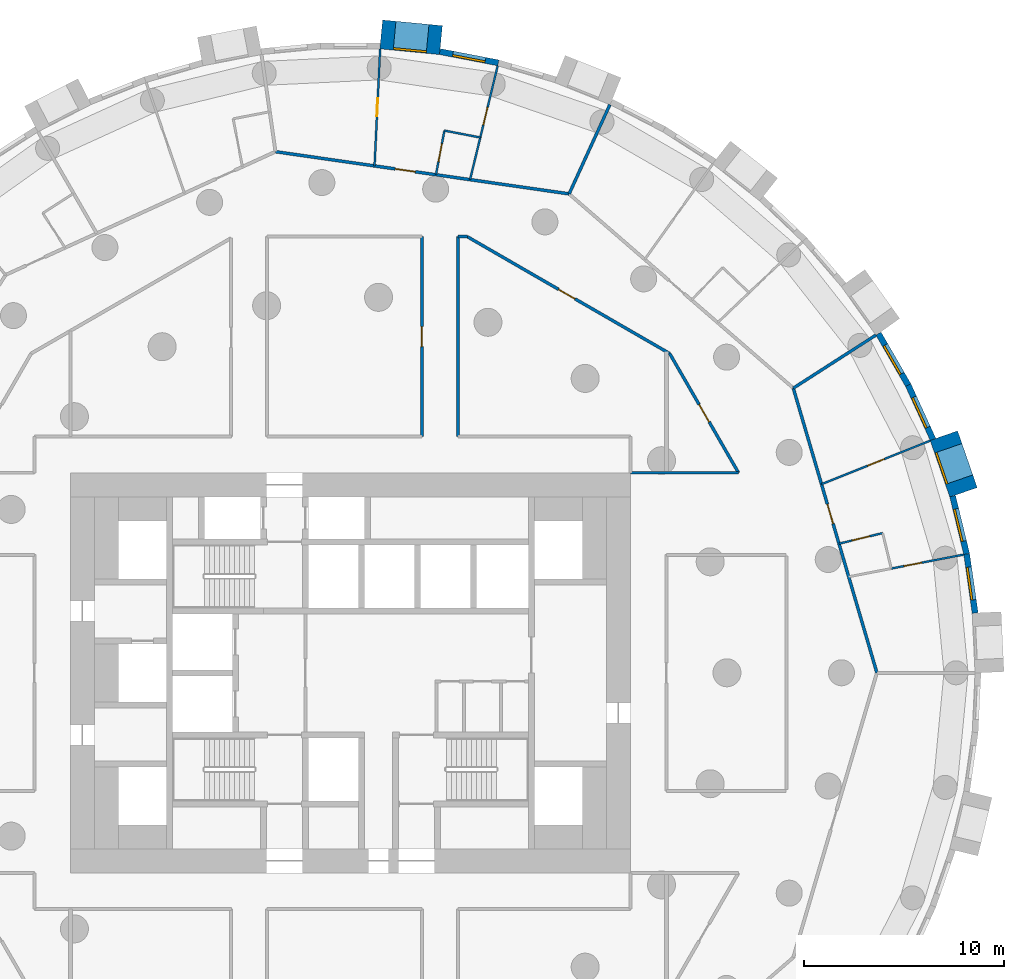
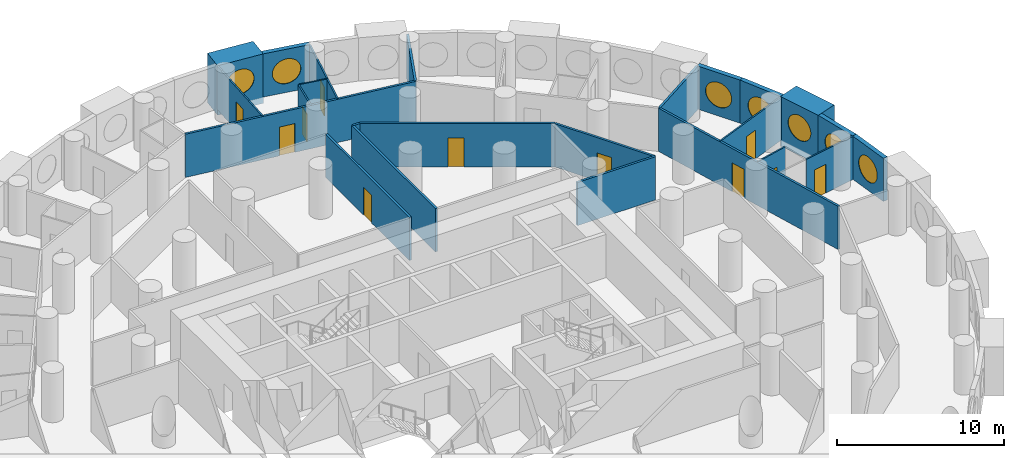
# One storey, part 9 of 12: 25 walls, 11 doors, 7 windows, 18 openings.
"""IFC4 building model written with IfcOpenShell, lengths in metres."""

from ifc_helpers import new_model, si_unit, direction, frame, frame_2d, origin, origin_2d, place, context, subcontext, project, spatial, rectangle, circle, extrude, material, layer, layer_set, type_object, element, fill, save


model = new_model("IFC4")

# Units and contexts
model_context = context("Model", 3, precision=1e-05, world=origin(), true_north=direction((0.0, 1.0)))
body_context = subcontext(model_context, "Body", "Model", "MODEL_VIEW")
ifc_project = project(units=[si_unit("LENGTHUNIT", "METRE"), si_unit("AREAUNIT", "SQUARE_METRE"), si_unit("VOLUMEUNIT", "CUBIC_METRE"), si_unit("PLANEANGLEUNIT", "RADIAN"), si_unit("MASSUNIT", "GRAM", prefix="KILO")], contexts=[model_context])

# Site, building, storey
site_placement = place(None, origin())
site = spatial("IfcSite", under=ifc_project, at=site_placement, CompositionType="ELEMENT")
building_placement = place(site_placement, origin())
building = spatial("IfcBuilding", under=site, at=building_placement, Name="Tracery Tower", CompositionType="ELEMENT")
storey_placement = place(building_placement, frame((0.0, 0.0, 85.800048828125)))
storey = spatial("IfcBuildingStorey", under=building, at=storey_placement, Name="L21", CompositionType="ELEMENT", Elevation=85.800048828125)

# Wall, opening, window
ifc_material_1 = material(Name="Precast concrete C50/60", Category="concrete")
ifc_layer_1 = layer(ifc_material_1, 1.449951171875)
ifc_layer_set_1 = layer_set([ifc_layer_1], Name="Deep-set bay unit 3000 x 3600, slab edge 450")
wall_type_1 = type_object("IfcWallType", Name="Deep-set bay unit 3000 x 3600, slab edge 450", PredefinedType="ELEMENTEDWALL", material=ifc_layer_set_1)
wall_1_placement = place(storey_placement, frame((30.649169921875, 9.0205078125, -0.449951171875), z_axis=(0.0, 0.0, 1.0), x_axis=(-0.327071431777, 0.944999618262, 0.0)))
wall_1 = element("IfcWall", 1, at=wall_1_placement, inside=storey, type_object=wall_type_1, Name="Deep-set bay unit 4 at L21", PredefinedType="ELEMENTEDWALL", context=body_context, shape_type="SweptSolid", body=[
    extrude(rectangle(XDim=3.0, YDim=1.449951171875, at=frame_2d((1.5, 0.0))), origin(), (0.0, 0.0, 1.0), 3.599853515625),
])
opening_1_placement = place(wall_1_placement, frame((1.5, 0.0, 2.0)))
opening_1 = element("IfcOpeningElement", 2, at=opening_1_placement, cuts=wall_1, Name="Opening WN1", PredefinedType="OPENING", context=body_context, shape_type="SweptSolid", body=[
    extrude(circle(Radius=0.9000244140625, at=origin_2d()), frame((0.0, 0.73486328125, 0.0), z_axis=(0.0, -1.0, 0.0), x_axis=(1.0, 0.0, 0.0)), (0.0, 0.0, 1.0), 1.469970703125),
])
ifc_material_2 = material(Name="Aluminium frame with tinted double glazing", Category="aluminium")
window_type = type_object("IfcWindowType", Name="Round window 1800", PartitioningType="SINGLE_PANEL", PredefinedType="WINDOW", material=ifc_material_2)
window_1_placement = place(opening_1_placement, origin())
window_1 = element("IfcWindow", 3, at=window_1_placement, inside=storey, type_object=window_type, Name="Round window 4 at L21", OverallHeight=1.800048828125, OverallWidth=1.800048828125, PartitioningType="SINGLE_PANEL", PredefinedType="WINDOW", context=body_context, shape_type="SweptSolid", body=[
    extrude(circle(Radius=0.9000244140625, at=origin_2d()), frame((0.0, 0.69482421875, 0.0), z_axis=(0.0, -1.0, 0.0), x_axis=(1.0, 0.0, 0.0)), (0.0, 0.0, 1.0), 0.10009765625),
])
fill(opening_1, window_1)

wall_2_placement = place(storey_placement, frame((4.52685546875, 31.626708984375, -0.449951171875), z_axis=(0.0, 0.0, 1.0), x_axis=(-0.995472768558, 0.09504718333, 0.0)))
wall_2 = element("IfcWall", 4, at=wall_2_placement, inside=storey, type_object=wall_type_1, Name="Deep-set bay unit 16 at L21", PredefinedType="ELEMENTEDWALL", context=body_context, shape_type="SweptSolid", body=[
    extrude(rectangle(XDim=3.000244140625, YDim=1.449951171875, at=frame_2d((1.5, 0.0))), origin(), (0.0, 0.0, 1.0), 3.599853515625),
])
opening_2_placement = place(wall_2_placement, frame((1.5, 0.0, 2.0)))
opening_2 = element("IfcOpeningElement", 5, at=opening_2_placement, cuts=wall_2, Name="Opening WN1", PredefinedType="OPENING", context=body_context, shape_type="SweptSolid", body=[
    extrude(circle(Radius=0.9000244140625, at=origin_2d()), frame((0.0, 0.73486328125, 0.0), z_axis=(0.0, -1.0, 0.0), x_axis=(1.0, 0.0, 0.0)), (0.0, 0.0, 1.0), 1.469970703125),
])
window_2_placement = place(opening_2_placement, origin())
window_2 = element("IfcWindow", 6, at=window_2_placement, inside=storey, type_object=window_type, Name="Round window 16 at L21", OverallHeight=1.800048828125, OverallWidth=1.800048828125, PartitioningType="SINGLE_PANEL", PredefinedType="WINDOW", context=body_context, shape_type="SweptSolid", body=[
    extrude(circle(Radius=0.9000244140625, at=origin_2d()), frame((0.0, 0.69482421875, 0.0), z_axis=(0.0, -1.0, 0.0), x_axis=(1.0, 0.0, 0.0)), (0.0, 0.0, 1.0), 0.10009765625),
])
fill(opening_2, window_2)

ifc_material_3 = material(Name="Precast concrete C50/60", Category="concrete")
ifc_layer_2 = layer(ifc_material_3, 0.300048828125)
ifc_layer_set_2 = layer_set([ifc_layer_2], Name="Facade panel 3000 x 3150")
wall_type_2 = type_object("IfcWallType", Name="Facade panel 3000 x 3150", PredefinedType="SOLIDWALL", material=ifc_layer_set_2)
wall_3_placement = place(storey_placement, frame((31.2314453125, 2.98828125, 0.0), z_axis=(0.0, 0.0, 1.0), x_axis=(-0.142315996627, 0.989821275334, 0.0)))
wall_3 = element("IfcWall", 7, at=wall_3_placement, inside=storey, type_object=wall_type_2, Name="Facade panel 2 at L21", PredefinedType="SOLIDWALL", context=body_context, shape_type="SweptSolid", body=[
    extrude(rectangle(XDim=2.979736328125, YDim=0.300048828125, at=frame_2d((1.48974609375, 0.0))), origin(), (0.0, 0.0, 1.0), 3.14990234375),
])
opening_3_placement = place(wall_3_placement, frame((1.48974609375, 0.0, 1.5498046875)))
opening_3 = element("IfcOpeningElement", 8, at=opening_3_placement, cuts=wall_3, Name="Opening WN1", PredefinedType="OPENING", context=body_context, shape_type="SweptSolid", body=[
    extrude(circle(Radius=0.9000244140625, at=origin_2d()), frame((0.0, 0.159912109375, 0.0), z_axis=(0.0, -1.0, 0.0), x_axis=(1.0, 0.0, 0.0)), (0.0, 0.0, 1.0), 0.320068359375),
])
window_3_placement = place(opening_3_placement, origin())
window_3 = element("IfcWindow", 9, at=window_3_placement, inside=storey, type_object=window_type, Name="Round window 2 at L21", OverallHeight=1.800048828125, OverallWidth=1.800048828125, PartitioningType="SINGLE_PANEL", PredefinedType="WINDOW", context=body_context, shape_type="SweptSolid", body=[
    extrude(circle(Radius=0.9000244140625, at=origin_2d()), frame((0.0, 0.1201171875, 0.0), z_axis=(0.0, -1.0, 0.0), x_axis=(1.0, 0.0, 0.0)), (0.0, 0.0, 1.0), 0.10009765625),
])
fill(opening_3, window_3)

wall_4_placement = place(storey_placement, frame((30.807373046875, 5.937744140625, 0.0), z_axis=(0.0, 0.0, 1.0), x_axis=(-0.235743081534, 0.971815414319, 0.0)))
wall_4 = element("IfcWall", 10, at=wall_4_placement, inside=storey, type_object=wall_type_2, Name="Facade panel 3 at L21", PredefinedType="SOLIDWALL", context=body_context, shape_type="SweptSolid", body=[
    extrude(rectangle(XDim=2.9794921875, YDim=0.300048828125, at=frame_2d((1.48974609375, 0.0))), origin(), (0.0, 0.0, 1.0), 3.14990234375),
])
opening_4_placement = place(wall_4_placement, frame((1.48974609375, 0.0, 1.5498046875)))
opening_4 = element("IfcOpeningElement", 11, at=opening_4_placement, cuts=wall_4, Name="Opening WN1", PredefinedType="OPENING", context=body_context, shape_type="SweptSolid", body=[
    extrude(circle(Radius=0.9000244140625, at=origin_2d()), frame((0.0, 0.159912109375, 0.0), z_axis=(0.0, -1.0, 0.0), x_axis=(1.0, 0.0, 0.0)), (0.0, 0.0, 1.0), 0.320068359375),
])
window_4_placement = place(opening_4_placement, origin())
window_4 = element("IfcWindow", 12, at=window_4_placement, inside=storey, type_object=window_type, Name="Round window 3 at L21", OverallHeight=1.800048828125, OverallWidth=1.800048828125, PartitioningType="SINGLE_PANEL", PredefinedType="WINDOW", context=body_context, shape_type="SweptSolid", body=[
    extrude(circle(Radius=0.9000244140625, at=origin_2d()), frame((0.0, 0.1201171875, 0.0), z_axis=(0.0, -1.0, 0.0), x_axis=(1.0, 0.0, 0.0)), (0.0, 0.0, 1.0), 0.10009765625),
])
fill(opening_4, window_4)

wall_5_placement = place(storey_placement, frame((29.12451171875, 11.666259765625, 0.0), z_axis=(0.0, 0.0, 1.0), x_axis=(-0.415407317162, 0.909635509888, 0.0)))
wall_5 = element("IfcWall", 13, at=wall_5_placement, inside=storey, type_object=wall_type_2, Name="Facade panel 5 at L21", PredefinedType="SOLIDWALL", context=body_context, shape_type="SweptSolid", body=[
    extrude(rectangle(XDim=2.979736328125, YDim=0.300048828125, at=frame_2d((1.48974609375, 0.0))), origin(), (0.0, 0.0, 1.0), 3.14990234375),
])
opening_5_placement = place(wall_5_placement, frame((1.48974609375, 0.0, 1.5498046875)))
opening_5 = element("IfcOpeningElement", 14, at=opening_5_placement, cuts=wall_5, Name="Opening WN1", PredefinedType="OPENING", context=body_context, shape_type="SweptSolid", body=[
    extrude(circle(Radius=0.9000244140625, at=origin_2d()), frame((0.0, 0.159912109375, 0.0), z_axis=(0.0, -1.0, 0.0), x_axis=(1.0, 0.0, 0.0)), (0.0, 0.0, 1.0), 0.320068359375),
])
window_5_placement = place(opening_5_placement, origin())
window_5 = element("IfcWindow", 15, at=window_5_placement, inside=storey, type_object=window_type, Name="Round window 5 at L21", OverallHeight=1.800048828125, OverallWidth=1.800048828125, PartitioningType="SINGLE_PANEL", PredefinedType="WINDOW", context=body_context, shape_type="SweptSolid", body=[
    extrude(circle(Radius=0.9000244140625, at=origin_2d()), frame((0.0, 0.1201171875, 0.0), z_axis=(0.0, -1.0, 0.0), x_axis=(1.0, 0.0, 0.0)), (0.0, 0.0, 1.0), 0.10009765625),
])
fill(opening_5, window_5)

wall_6_placement = place(storey_placement, frame((27.88671875, 14.376708984375, 0.0), z_axis=(0.0, 0.0, 1.0), x_axis=(-0.499999078476, 0.866025935826, 0.0)))
wall_6 = element("IfcWall", 16, at=wall_6_placement, inside=storey, type_object=wall_type_2, Name="Facade panel 6 at L21", PredefinedType="SOLIDWALL", context=body_context, shape_type="SweptSolid", body=[
    extrude(rectangle(XDim=2.9794921875, YDim=0.300048828125, at=frame_2d((1.48974609375, 0.0))), origin(), (0.0, 0.0, 1.0), 3.14990234375),
])
opening_6_placement = place(wall_6_placement, frame((1.48974609375, 0.0, 1.5498046875)))
opening_6 = element("IfcOpeningElement", 17, at=opening_6_placement, cuts=wall_6, Name="Opening WN1", PredefinedType="OPENING", context=body_context, shape_type="SweptSolid", body=[
    extrude(circle(Radius=0.9000244140625, at=origin_2d()), frame((0.0, 0.159912109375, 0.0), z_axis=(0.0, -1.0, 0.0), x_axis=(1.0, 0.0, 0.0)), (0.0, 0.0, 1.0), 0.320068359375),
])
window_6_placement = place(opening_6_placement, origin())
window_6 = element("IfcWindow", 18, at=window_6_placement, inside=storey, type_object=window_type, Name="Round window 6 at L21", OverallHeight=1.800048828125, OverallWidth=1.800048828125, PartitioningType="SINGLE_PANEL", PredefinedType="WINDOW", context=body_context, shape_type="SweptSolid", body=[
    extrude(circle(Radius=0.9000244140625, at=origin_2d()), frame((0.0, 0.1201171875, 0.0), z_axis=(0.0, -1.0, 0.0), x_axis=(1.0, 0.0, 0.0)), (0.0, 0.0, 1.0), 0.10009765625),
])
fill(opening_6, window_6)

wall_7_placement = place(storey_placement, frame((7.396728515625, 30.489990234375, 0.0), z_axis=(0.0, 0.0, 1.0), x_axis=(-0.981924535406, 0.189272836848, 0.0)))
wall_7 = element("IfcWall", 19, at=wall_7_placement, inside=storey, type_object=wall_type_2, Name="Facade panel 15 at L21", PredefinedType="SOLIDWALL", context=body_context, shape_type="SweptSolid", body=[
    extrude(rectangle(XDim=2.979736328125, YDim=0.300048828125, at=frame_2d((1.48974609375, 0.0))), origin(), (0.0, 0.0, 1.0), 3.14990234375),
])
opening_7_placement = place(wall_7_placement, frame((1.48974609375, 0.0, 1.5498046875)))
opening_7 = element("IfcOpeningElement", 20, at=opening_7_placement, cuts=wall_7, Name="Opening WN1", PredefinedType="OPENING", context=body_context, shape_type="SweptSolid", body=[
    extrude(circle(Radius=0.9000244140625, at=origin_2d()), frame((0.0, 0.159912109375, 0.0), z_axis=(0.0, -1.0, 0.0), x_axis=(1.0, 0.0, 0.0)), (0.0, 0.0, 1.0), 0.320068359375),
])
window_7_placement = place(opening_7_placement, origin())
window_7 = element("IfcWindow", 21, at=window_7_placement, inside=storey, type_object=window_type, Name="Round window 15 at L21", OverallHeight=1.800048828125, OverallWidth=1.800048828125, PartitioningType="SINGLE_PANEL", PredefinedType="WINDOW", context=body_context, shape_type="SweptSolid", body=[
    extrude(circle(Radius=0.9000244140625, at=origin_2d()), frame((0.0, 0.1201171875, 0.0), z_axis=(0.0, -1.0, 0.0), x_axis=(1.0, 0.0, 0.0)), (0.0, 0.0, 1.0), 0.10009765625),
])
fill(opening_7, window_7)

# Wall, opening, door
ifc_material_4 = material(Name="Plasterboard on steel studs", Category="steel")
ifc_layer_3 = layer(ifc_material_4, 0.10009765625)
ifc_layer_set_3 = layer_set([ifc_layer_3], Name="Partition 100 stud")
wall_type_3 = type_object("IfcWallType", Name="Partition 100 stud", PredefinedType="PARTITIONING", material=ifc_layer_set_3)
wall_8_placement = place(storey_placement, frame((27.0380859375, 5.2109375, 0.0), z_axis=(0.0, 0.0, 1.0), x_axis=(0.981931303506, 0.189237721384, 0.0)))
wall_8 = element("IfcWall", 22, at=wall_8_placement, inside=storey, type_object=wall_type_3, Name="Stud partition RA6-058", PredefinedType="PARTITIONING", context=body_context, shape_type="SweptSolid", body=[
    extrude(rectangle(XDim=3.6884765625, YDim=0.10009765625, at=frame_2d((1.84423828125, 0.0))), origin(), (0.0, 0.0, 1.0), 3.14990234375),
])
opening_8_placement = place(wall_8_placement, frame((0.64453125, 0.0, 0.0)))
opening_8 = element("IfcOpeningElement", 23, at=opening_8_placement, cuts=wall_8, Name="Opening RA6-13", PredefinedType="OPENING", context=body_context, shape_type="SweptSolid", body=[
    extrude(rectangle(XDim=0.89990234375, YDim=2.10009765625, at=frame_2d((0.449951171875, 1.050048828125))), frame((0.0, 0.050048828125, 0.0), z_axis=(0.0, -1.0, 0.0), x_axis=(1.0, 0.0, 0.0)), (0.0, 0.0, 1.0), 0.10009765625),
])
ifc_material_5 = material(Name="Timber door leaf", Category="wood")
door_type_1 = type_object("IfcDoorType", Name="Door bedroom 900", OperationType="NOTDEFINED", PredefinedType="DOOR", material=ifc_material_5)
door_1_placement = place(opening_8_placement, origin())
door_1 = element("IfcDoor", 24, at=door_1_placement, inside=storey, type_object=door_type_1, Name="Bedroom door RA6-13", OperationType="SINGLE_SWING_RIGHT", OverallHeight=2.10009765625, OverallWidth=0.89990234375, PredefinedType="DOOR", context=body_context, shape_type="SweptSolid", body=[
    extrude(rectangle(XDim=0.89990234375, YDim=2.10009765625, at=frame_2d((0.449951171875, 1.050048828125))), frame((0.0, 0.02490234375, 0.0), z_axis=(0.0, -1.0, 0.0), x_axis=(1.0, 0.0, 0.0)), (0.0, 0.0, 1.0), 0.050048828125),
])
fill(opening_8, door_1)

wall_9_placement = place(storey_placement, frame((23.550048828125, 9.427978515625, 0.0), z_axis=(0.0, 0.0, 1.0), x_axis=(0.9283702981, 0.371656547911, 0.0)))
wall_9 = element("IfcWall", 25, at=wall_9_placement, inside=storey, type_object=wall_type_3, Name="Stud partition RA6-059", PredefinedType="PARTITIONING", context=body_context, shape_type="SweptSolid", body=[
    extrude(rectangle(XDim=5.857666015625, YDim=0.10009765625, at=frame_2d((2.9287109375, 0.0))), origin(), (0.0, 0.0, 1.0), 3.14990234375),
])
opening_9_placement = place(wall_9_placement, frame((2.47900390625, 0.0, 0.0)))
opening_9 = element("IfcOpeningElement", 26, at=opening_9_placement, cuts=wall_9, Name="Opening RA6-14", PredefinedType="OPENING", context=body_context, shape_type="SweptSolid", body=[
    extrude(rectangle(XDim=0.89990234375, YDim=2.10009765625, at=frame_2d((0.449951171875, 1.050048828125))), frame((0.0, 0.050048828125, 0.0), z_axis=(0.0, -1.0, 0.0), x_axis=(1.0, 0.0, 0.0)), (0.0, 0.0, 1.0), 0.10009765625),
])
door_2_placement = place(opening_9_placement, origin())
door_2 = element("IfcDoor", 27, at=door_2_placement, inside=storey, type_object=door_type_1, Name="Bedroom door RA6-14", OperationType="SINGLE_SWING_RIGHT", OverallHeight=2.10009765625, OverallWidth=0.89990234375, PredefinedType="DOOR", context=body_context, shape_type="SweptSolid", body=[
    extrude(rectangle(XDim=0.89990234375, YDim=2.10009765625, at=frame_2d((0.449951171875, 1.050048828125))), frame((0.0, 0.02490234375, 0.0), z_axis=(0.0, -1.0, 0.0), x_axis=(1.0, 0.0, 0.0)), (0.0, 0.0, 1.0), 0.050048828125),
])
fill(opening_9, door_2)

wall_10_placement = place(storey_placement, frame((6.491943359375, 26.759033203125, 0.0), z_axis=(0.0, 0.0, 1.0), x_axis=(0.235615179614, 0.971846431868, 0.0)))
wall_10 = element("IfcWall", 28, at=wall_10_placement, inside=storey, type_object=wall_type_3, Name="Stud partition RA6-071", PredefinedType="PARTITIONING", context=body_context, shape_type="SweptSolid", body=[
    extrude(rectangle(XDim=3.688720703125, YDim=0.10009765625, at=frame_2d((1.84423828125, 0.0))), origin(), (0.0, 0.0, 1.0), 3.14990234375),
])
opening_10_placement = place(wall_10_placement, frame((0.644775390625, 0.0, 0.0)))
opening_10 = element("IfcOpeningElement", 29, at=opening_10_placement, cuts=wall_10, Name="Opening RA6-21", PredefinedType="OPENING", context=body_context, shape_type="SweptSolid", body=[
    extrude(rectangle(XDim=0.89990234375, YDim=2.10009765625, at=frame_2d((0.449951171875, 1.050048828125))), frame((0.0, 0.050048828125, 0.0), z_axis=(0.0, -1.0, 0.0), x_axis=(1.0, 0.0, 0.0)), (0.0, 0.0, 1.0), 0.10009765625),
])
door_3_placement = place(opening_10_placement, origin())
door_3 = element("IfcDoor", 30, at=door_3_placement, inside=storey, type_object=door_type_1, Name="Bedroom door RA6-21", OperationType="SINGLE_SWING_RIGHT", OverallHeight=2.10009765625, OverallWidth=0.89990234375, PredefinedType="DOOR", context=body_context, shape_type="SweptSolid", body=[
    extrude(rectangle(XDim=0.89990234375, YDim=2.10009765625, at=frame_2d((0.449951171875, 1.050048828125))), frame((0.0, 0.02490234375, 0.0), z_axis=(0.0, -1.0, 0.0), x_axis=(1.0, 0.0, 0.0)), (0.0, 0.0, 1.0), 0.050048828125),
])
fill(opening_10, door_3)

wall_11_placement = place(storey_placement, frame((1.20703125, 25.339111328125, 0.0), z_axis=(0.0, 0.0, 1.0), x_axis=(0.047648334785, 0.998864173045, 0.0)))
wall_11 = element("IfcWall", 31, at=wall_11_placement, inside=storey, type_object=wall_type_3, Name="Stud partition RA6-072", PredefinedType="PARTITIONING", context=body_context, shape_type="SweptSolid", body=[
    extrude(rectangle(XDim=5.8564453125, YDim=0.10009765625, at=frame_2d((2.92822265625, 0.0))), origin(), (0.0, 0.0, 1.0), 3.14990234375),
])
opening_11_placement = place(wall_11_placement, frame((2.47802734375, 0.0, 0.0)))
opening_11 = element("IfcOpeningElement", 32, at=opening_11_placement, cuts=wall_11, Name="Opening RA6-22", PredefinedType="OPENING", context=body_context, shape_type="SweptSolid", body=[
    extrude(rectangle(XDim=0.89990234375, YDim=2.10009765625, at=frame_2d((0.449951171875, 1.050048828125))), frame((0.0, 0.050048828125, 0.0), z_axis=(0.0, -1.0, 0.0), x_axis=(1.0, 0.0, 0.0)), (0.0, 0.0, 1.0), 0.10009765625),
])
door_4_placement = place(opening_11_placement, origin())
door_4 = element("IfcDoor", 33, at=door_4_placement, inside=storey, type_object=door_type_1, Name="Bedroom door RA6-22", OperationType="SINGLE_SWING_LEFT", OverallHeight=2.10009765625, OverallWidth=0.89990234375, PredefinedType="DOOR", context=body_context, shape_type="SweptSolid", body=[
    extrude(rectangle(XDim=0.89990234375, YDim=2.10009765625, at=frame_2d((0.449951171875, 1.050048828125))), frame((0.0, 0.02490234375, 0.0), z_axis=(0.0, -1.0, 0.0), x_axis=(1.0, 0.0, 0.0)), (0.0, 0.0, 1.0), 0.050048828125),
])
fill(opening_11, door_4)

ifc_material_6 = material(Name="Plasterboard on steel studs", Category="steel")
ifc_layer_4 = layer(ifc_material_6, 0.10009765625)
ifc_layer_set_4 = layer_set([ifc_layer_4], Name="Partition 100 wet wall")
wall_type_4 = type_object("IfcWallType", Name="Partition 100 wet wall", PredefinedType="PARTITIONING", material=ifc_layer_set_4)
wall_12_placement = place(storey_placement, frame((24.424072265625, 6.4541015625, 0.0), z_axis=(0.0, 0.0, 1.0), x_axis=(0.971812402676, 0.235755496233, 0.0)))
wall_12 = element("IfcWall", 34, at=wall_12_placement, inside=storey, type_object=wall_type_4, Name="Wet wall RA6-061", PredefinedType="PARTITIONING", context=body_context, shape_type="SweptSolid", body=[
    extrude(rectangle(XDim=2.2470703125, YDim=0.10009765625, at=frame_2d((1.12353515625, 0.0))), origin(), (0.0, 0.0, 1.0), 3.14990234375),
])
opening_12_placement = place(wall_12_placement, frame((0.67333984375, 0.0, 0.0)))
opening_12 = element("IfcOpeningElement", 35, at=opening_12_placement, cuts=wall_12, Name="Opening RA6-15", PredefinedType="OPENING", context=body_context, shape_type="SweptSolid", body=[
    extrude(rectangle(XDim=0.89990234375, YDim=2.0, at=frame_2d((0.449951171875, 1.0))), frame((0.0, 0.050048828125, 0.0), z_axis=(0.0, -1.0, 0.0), x_axis=(1.0, 0.0, 0.0)), (0.0, 0.0, 1.0), 0.10009765625),
])
ifc_material_7 = material(Name="Timber door leaf", Category="wood")
door_type_2 = type_object("IfcDoorType", Name="Door shower room 900", OperationType="NOTDEFINED", PredefinedType="DOOR", material=ifc_material_7)
door_5_placement = place(opening_12_placement, origin())
door_5 = element("IfcDoor", 36, at=door_5_placement, inside=storey, type_object=door_type_2, Name="Shower room door RA6-15", OperationType="SINGLE_SWING_RIGHT", OverallHeight=2.0, OverallWidth=0.89990234375, PredefinedType="DOOR", context=body_context, shape_type="SweptSolid", body=[
    extrude(rectangle(XDim=0.89990234375, YDim=2.0, at=frame_2d((0.449951171875, 1.0))), frame((0.0, 0.02490234375, 0.0), z_axis=(0.0, -1.0, 0.0), x_axis=(1.0, 0.0, 0.0)), (0.0, 0.0, 1.0), 0.050048828125),
])
fill(opening_12, door_5)

# Wall
wall_13_placement = place(storey_placement, frame((4.699951171875, 27.10498046875, 0.0), z_axis=(0.0, 0.0, 1.0), x_axis=(0.981870706953, -0.189551878985, 0.0)))
element("IfcWall", 37, at=wall_13_placement, inside=storey, type_object=wall_type_4, Name="Wet wall RA6-073", PredefinedType="PARTITIONING", context=body_context, shape_type="SweptSolid", body=[
    extrude(rectangle(XDim=1.8251953125, YDim=0.10009765625, at=frame_2d((0.91259765625, 0.0))), origin(), (0.0, 0.0, 1.0), 3.14990234375),
])

# Wall, opening, door
wall_14_placement = place(storey_placement, frame((4.27490234375, 24.89794921875, 0.0), z_axis=(0.0, 0.0, 1.0), x_axis=(0.189113289302, 0.98195527587, 0.0)))
wall_14 = element("IfcWall", 38, at=wall_14_placement, inside=storey, type_object=wall_type_4, Name="Wet wall RA6-074", PredefinedType="PARTITIONING", context=body_context, shape_type="SweptSolid", body=[
    extrude(rectangle(XDim=2.24755859375, YDim=0.10009765625, at=frame_2d((1.123779296875, 0.0))), origin(), (0.0, 0.0, 1.0), 3.14990234375),
])
opening_13_placement = place(wall_14_placement, frame((0.673583984375, 0.0, 0.0)))
opening_13 = element("IfcOpeningElement", 39, at=opening_13_placement, cuts=wall_14, Name="Opening RA6-23", PredefinedType="OPENING", context=body_context, shape_type="SweptSolid", body=[
    extrude(rectangle(XDim=0.89990234375, YDim=2.0, at=frame_2d((0.449951171875, 1.0))), frame((0.0, 0.050048828125, 0.0), z_axis=(0.0, -1.0, 0.0), x_axis=(1.0, 0.0, 0.0)), (0.0, 0.0, 1.0), 0.10009765625),
])
door_6_placement = place(opening_13_placement, origin())
door_6 = element("IfcDoor", 40, at=door_6_placement, inside=storey, type_object=door_type_2, Name="Shower room door RA6-23", OperationType="SINGLE_SWING_RIGHT", OverallHeight=2.0, OverallWidth=0.89990234375, PredefinedType="DOOR", context=body_context, shape_type="SweptSolid", body=[
    extrude(rectangle(XDim=0.89990234375, YDim=2.0, at=frame_2d((0.449951171875, 1.0))), frame((0.0, 0.02490234375, 0.0), z_axis=(0.0, -1.0, 0.0), x_axis=(1.0, 0.0, 0.0)), (0.0, 0.0, 1.0), 0.050048828125),
])
fill(opening_13, door_6)

# Walls
wall_15_placement = place(storey_placement, frame((5.98095703125, 24.652099609375, 0.0), z_axis=(0.0, 0.0, 1.0), x_axis=(0.235706186713, 0.971824363527, 0.0)))
element("IfcWall", 41, at=wall_15_placement, inside=storey, type_object=wall_type_4, Name="Wet wall RA6-075", PredefinedType="PARTITIONING", context=body_context, shape_type="SweptSolid", body=[
    extrude(rectangle(XDim=2.172119140625, YDim=0.10009765625, at=frame_2d((1.0859375, 0.0))), origin(), (0.0, 0.0, 1.0), 3.14990234375),
])
ifc_material_8 = material(Name="Plasterboard on steel studs", Category="steel")
ifc_layer_5 = layer(ifc_material_8, 0.14990234375)
ifc_layer_set_5 = layer_set([ifc_layer_5], Name="Partition 150 acoustic unit wall")
wall_type_5 = type_object("IfcWallType", Name="Partition 150 acoustic unit wall", PredefinedType="PARTITIONING", material=ifc_layer_set_5)
wall_16_placement = place(storey_placement, frame((22.14111328125, 14.22900390625, 0.0), z_axis=(0.0, 0.0, 1.0), x_axis=(0.841265781699, 0.540621757371, 0.0)))
element("IfcWall", 42, at=wall_16_placement, inside=storey, type_object=wall_type_5, Name="Unit wall RA6-064", PredefinedType="PARTITIONING", context=body_context, shape_type="SweptSolid", body=[
    extrude(rectangle(XDim=4.90576171875, YDim=0.14990234375, at=frame_2d((2.452880859375, 0.0))), origin(), (0.0, 0.0, 1.0), 3.14990234375),
])
wall_17_placement = place(storey_placement, frame((10.93310546875, 23.93994140625, 0.0), z_axis=(0.0, 0.0, 1.0), x_axis=(0.415346954488, 0.909663073559, 0.0)))
element("IfcWall", 43, at=wall_17_placement, inside=storey, type_object=wall_type_5, Name="Unit wall RA6-070", PredefinedType="PARTITIONING", context=body_context, shape_type="SweptSolid", body=[
    extrude(rectangle(XDim=4.90625, YDim=0.14990234375, at=frame_2d((2.453125, 0.0))), origin(), (0.0, 0.0, 1.0), 3.14990234375),
])
ifc_material_9 = material(Name="Plasterboard on steel studs", Category="steel")
ifc_layer_6 = layer(ifc_material_9, 0.14990234375)
ifc_layer_set_6 = layer_set([ifc_layer_6], Name="Partition 150 corridor wall")
wall_type_6 = type_object("IfcWallType", Name="Partition 150 corridor wall", PredefinedType="PARTITIONING", material=ifc_layer_set_6)
wall_18_placement = place(storey_placement, frame((14.0, 10.0, 0.0), z_axis=(0.0, 0.0, 1.0), x_axis=(1.0, 0.0, 0.0)))
element("IfcWall", 44, at=wall_18_placement, inside=storey, type_object=wall_type_6, Name="Corridor wall RA6-011", PredefinedType="PARTITIONING", context=body_context, shape_type="SweptSolid", body=[
    extrude(rectangle(XDim=5.40087890625, YDim=0.14990234375, at=frame_2d((2.700439453125, 0.0))), origin(), (0.0, 0.0, 1.0), 3.14990234375),
])

# Wall, opening, door
wall_19_placement = place(storey_placement, frame((15.9599609375, 15.9599609375, 0.0), z_axis=(0.0, 0.0, 1.0), x_axis=(0.499992689227, -0.86602962462, 0.0)))
wall_19 = element("IfcWall", 45, at=wall_19_placement, inside=storey, type_object=wall_type_6, Name="Corridor wall RA6-018", PredefinedType="PARTITIONING", context=body_context, shape_type="SweptSolid", body=[
    extrude(rectangle(XDim=6.8818359375, YDim=0.14990234375, at=frame_2d((3.44091796875, 0.0))), origin(), (0.0, 0.0, 1.0), 3.14990234375),
])
opening_14_placement = place(wall_19_placement, frame((2.94091796875, 0.0, 0.0)))
opening_14 = element("IfcOpeningElement", 46, at=opening_14_placement, cuts=wall_19, Name="Opening RA6-09", PredefinedType="OPENING", context=body_context, shape_type="SweptSolid", body=[
    extrude(rectangle(XDim=1.0, YDim=2.0400390625, at=frame_2d((0.5, 1.02001953125))), frame((0.0, 0.074951171875, 0.0), z_axis=(0.0, -1.0, 0.0), x_axis=(1.0, 0.0, 0.0)), (0.0, 0.0, 1.0), 0.14990234375),
])
ifc_material_10 = material(Name="Timber door leaf", Category="wood")
door_type_3 = type_object("IfcDoorType", Name="Door communal room 1000", OperationType="NOTDEFINED", PredefinedType="DOOR", material=ifc_material_10)
door_7_placement = place(opening_14_placement, origin())
door_7 = element("IfcDoor", 47, at=door_7_placement, inside=storey, type_object=door_type_3, Name="Communal room door RA6-09", OperationType="SINGLE_SWING_LEFT", OverallHeight=2.0400390625, OverallWidth=1.0, PredefinedType="DOOR", context=body_context, shape_type="SweptSolid", body=[
    extrude(rectangle(XDim=1.0, YDim=2.0400390625, at=frame_2d((0.5, 1.02001953125))), frame((0.0, 0.02490234375, 0.0), z_axis=(0.0, -1.0, 0.0), x_axis=(1.0, 0.0, 0.0)), (0.0, 0.0, 1.0), 0.050048828125),
])
fill(opening_14, door_7)

wall_20_placement = place(storey_placement, frame((22.139892578125, 14.228759765625, 0.0), z_axis=(0.0, 0.0, 1.0), x_axis=(0.281845438276, -0.959459821422, 0.0)))
wall_20 = element("IfcWall", 48, at=wall_20_placement, inside=storey, type_object=wall_type_6, Name="Corridor wall RA6-020", PredefinedType="PARTITIONING", context=body_context, shape_type="SweptSolid", body=[
    extrude(rectangle(XDim=14.829833984375, YDim=0.14990234375, at=frame_2d((7.4150390625, 0.0))), origin(), (0.0, 0.0, 1.0), 3.14990234375),
])
opening_15_placement = place(wall_20_placement, frame((6.053466796875, 0.0, 0.0)))
opening_15 = element("IfcOpeningElement", 49, at=opening_15_placement, cuts=wall_20, Name="Opening RA6-16", PredefinedType="OPENING", context=body_context, shape_type="SweptSolid", body=[
    extrude(rectangle(XDim=1.0, YDim=2.10009765625, at=frame_2d((0.5, 1.050048828125))), frame((0.0, 0.074951171875, 0.0), z_axis=(0.0, -1.0, 0.0), x_axis=(1.0, 0.0, 0.0)), (0.0, 0.0, 1.0), 0.14990234375),
])
ifc_material_11 = material(Name="Timber door leaf", Category="wood")
door_type_4 = type_object("IfcDoorType", Name="Door unit entrance 1000", OperationType="NOTDEFINED", PredefinedType="DOOR", material=ifc_material_11)
door_8_placement = place(opening_15_placement, origin())
door_8 = element("IfcDoor", 50, at=door_8_placement, inside=storey, type_object=door_type_4, Name="Unit entrance door RA6-16", OperationType="SINGLE_SWING_LEFT", OverallHeight=2.10009765625, OverallWidth=1.0, PredefinedType="DOOR", context=body_context, shape_type="SweptSolid", body=[
    extrude(rectangle(XDim=1.0, YDim=2.10009765625, at=frame_2d((0.5, 1.050048828125))), frame((0.0, 0.02490234375, 0.0), z_axis=(0.0, -1.0, 0.0), x_axis=(1.0, 0.0, 0.0)), (0.0, 0.0, 1.0), 0.050048828125),
])
fill(opening_15, door_8)

wall_21_placement = place(storey_placement, frame((3.575927734375, 11.800048828125, 0.0), z_axis=(0.0, 0.0, 1.0), x_axis=(0.0, 1.0, 0.0)))
wall_21 = element("IfcWall", 51, at=wall_21_placement, inside=storey, type_object=wall_type_6, Name="Corridor wall RA6-026", PredefinedType="PARTITIONING", context=body_context, shape_type="SweptSolid", body=[
    extrude(rectangle(XDim=10.001953125, YDim=0.14990234375, at=frame_2d((5.0009765625, 0.0))), origin(), (0.0, 0.0, 1.0), 3.14990234375),
])
opening_16_placement = place(wall_21_placement, frame((4.5009765625, 0.0, 0.0)))
opening_16 = element("IfcOpeningElement", 52, at=opening_16_placement, cuts=wall_21, Name="Opening RA6-02", PredefinedType="OPENING", context=body_context, shape_type="SweptSolid", body=[
    extrude(rectangle(XDim=1.0, YDim=2.0400390625, at=frame_2d((0.5, 1.02001953125))), frame((0.0, 0.074951171875, 0.0), z_axis=(0.0, -1.0, 0.0), x_axis=(1.0, 0.0, 0.0)), (0.0, 0.0, 1.0), 0.14990234375),
])
door_9_placement = place(opening_16_placement, origin())
door_9 = element("IfcDoor", 53, at=door_9_placement, inside=storey, type_object=door_type_3, Name="Communal room door RA6-02", OperationType="SINGLE_SWING_RIGHT", OverallHeight=2.0400390625, OverallWidth=1.0, PredefinedType="DOOR", context=body_context, shape_type="SweptSolid", body=[
    extrude(rectangle(XDim=1.0, YDim=2.0400390625, at=frame_2d((0.5, 1.02001953125))), frame((0.0, 0.02490234375, 0.0), z_axis=(0.0, -1.0, 0.0), x_axis=(1.0, 0.0, 0.0)), (0.0, 0.0, 1.0), 0.050048828125),
])
fill(opening_16, door_9)

wall_22_placement = place(storey_placement, frame((5.842041015625, 21.802001953125, 0.0), z_axis=(0.0, 0.0, 1.0), x_axis=(0.866031778836, -0.499988957924, 0.0)))
wall_22 = element("IfcWall", 54, at=wall_22_placement, inside=storey, type_object=wall_type_6, Name="Corridor wall RA6-029", PredefinedType="PARTITIONING", context=body_context, shape_type="SweptSolid", body=[
    extrude(rectangle(XDim=11.683349609375, YDim=0.14990234375, at=frame_2d((5.841796875, 0.0))), origin(), (0.0, 0.0, 1.0), 3.14990234375),
])
opening_17_placement = place(wall_22_placement, frame((5.2744140625, 0.0, 0.0)))
opening_17 = element("IfcOpeningElement", 55, at=opening_17_placement, cuts=wall_22, Name="Opening RA6-03", PredefinedType="OPENING", context=body_context, shape_type="SweptSolid", body=[
    extrude(rectangle(XDim=0.949951171875, YDim=2.10009765625, at=frame_2d((0.47509765625, 1.050048828125))), frame((0.0, 0.074951171875, 0.0), z_axis=(0.0, -1.0, 0.0), x_axis=(1.0, 0.0, 0.0)), (0.0, 0.0, 1.0), 0.14990234375),
])
ifc_material_12 = material(Name="Timber door leaf", Category="wood")
door_type_5 = type_object("IfcDoorType", Name="Door store 950", OperationType="NOTDEFINED", PredefinedType="DOOR", material=ifc_material_12)
door_10_placement = place(opening_17_placement, origin())
door_10 = element("IfcDoor", 56, at=door_10_placement, inside=storey, type_object=door_type_5, Name="Store door RA6-03", OperationType="SINGLE_SWING_LEFT", OverallHeight=2.10009765625, OverallWidth=0.949951171875, PredefinedType="DOOR", context=body_context, shape_type="SweptSolid", body=[
    extrude(rectangle(XDim=0.949951171875, YDim=2.10009765625, at=frame_2d((0.47509765625, 1.050048828125))), frame((0.0, 0.02490234375, 0.0), z_axis=(0.0, -1.0, 0.0), x_axis=(1.0, 0.0, 0.0)), (0.0, 0.0, 1.0), 0.050048828125),
])
fill(opening_17, door_10)

# Walls
wall_23_placement = place(storey_placement, frame((5.3759765625, 21.802001953125, 0.0), z_axis=(0.0, 0.0, 1.0), x_axis=(1.0, 0.0, 0.0)))
element("IfcWall", 57, at=wall_23_placement, inside=storey, type_object=wall_type_6, Name="Corridor wall RA6-030", PredefinedType="PARTITIONING", context=body_context, shape_type="SweptSolid", body=[
    extrude(rectangle(XDim=0.466064453125, YDim=0.14990234375, at=frame_2d((0.23291015625, 0.0))), origin(), (0.0, 0.0, 1.0), 3.14990234375),
])
wall_24_placement = place(storey_placement, frame((5.3759765625, 11.800048828125, 0.0), z_axis=(0.0, 0.0, 1.0), x_axis=(0.0, 1.0, 0.0)))
element("IfcWall", 58, at=wall_24_placement, inside=storey, type_object=wall_type_6, Name="Corridor wall RA6-031", PredefinedType="PARTITIONING", context=body_context, shape_type="SweptSolid", body=[
    extrude(rectangle(XDim=10.001953125, YDim=0.14990234375, at=frame_2d((5.0009765625, 0.0))), origin(), (0.0, 0.0, 1.0), 3.14990234375),
])

# Wall, opening, door
wall_25_placement = place(storey_placement, frame((-3.74609375, 26.05029296875, 0.0), z_axis=(0.0, 0.0, 1.0), x_axis=(0.989832601965, -0.14223719657, 0.0)))
wall_25 = element("IfcWall", 59, at=wall_25_placement, inside=storey, type_object=wall_type_6, Name="Corridor wall RA6-032", PredefinedType="PARTITIONING", context=body_context, shape_type="SweptSolid", body=[
    extrude(rectangle(XDim=14.830078125, YDim=0.14990234375, at=frame_2d((7.4150390625, 0.0))), origin(), (0.0, 0.0, 1.0), 3.14990234375),
])
opening_18_placement = place(wall_25_placement, frame((6.053955078125, 0.0, 0.0)))
opening_18 = element("IfcOpeningElement", 60, at=opening_18_placement, cuts=wall_25, Name="Opening RA6-24", PredefinedType="OPENING", context=body_context, shape_type="SweptSolid", body=[
    extrude(rectangle(XDim=1.0, YDim=2.10009765625, at=frame_2d((0.5, 1.050048828125))), frame((0.0, 0.074951171875, 0.0), z_axis=(0.0, -1.0, 0.0), x_axis=(1.0, 0.0, 0.0)), (0.0, 0.0, 1.0), 0.14990234375),
])
door_11_placement = place(opening_18_placement, origin())
door_11 = element("IfcDoor", 61, at=door_11_placement, inside=storey, type_object=door_type_4, Name="Unit entrance door RA6-24", OperationType="SINGLE_SWING_RIGHT", OverallHeight=2.10009765625, OverallWidth=1.0, PredefinedType="DOOR", context=body_context, shape_type="SweptSolid", body=[
    extrude(rectangle(XDim=1.0, YDim=2.10009765625, at=frame_2d((0.5, 1.050048828125))), frame((0.0, 0.02490234375, 0.0), z_axis=(0.0, -1.0, 0.0), x_axis=(1.0, 0.0, 0.0)), (0.0, 0.0, 1.0), 0.050048828125),
])
fill(opening_18, door_11)

save(model, "model.ifc")
